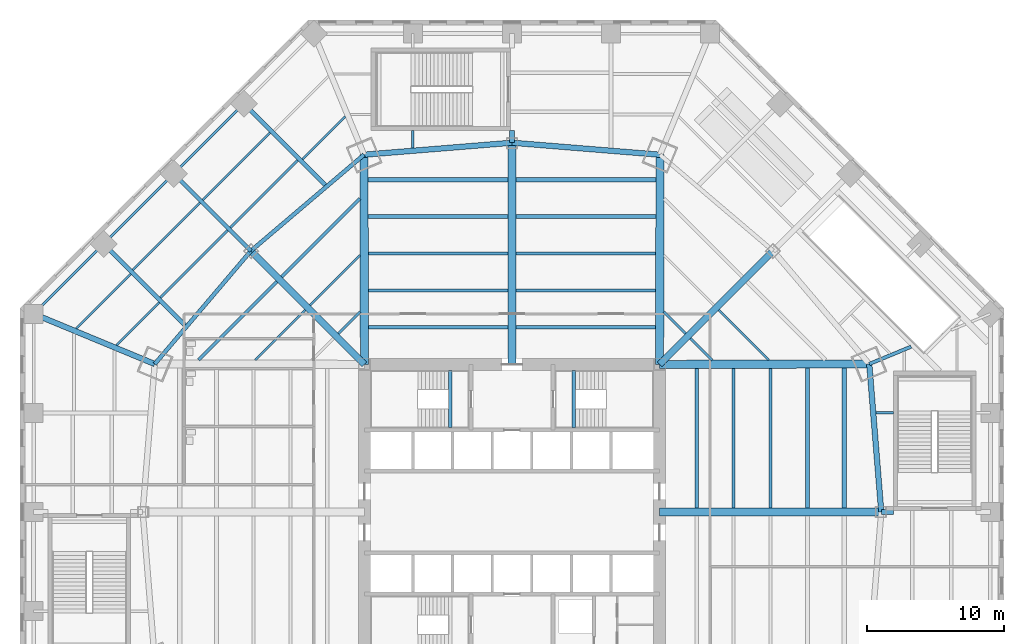
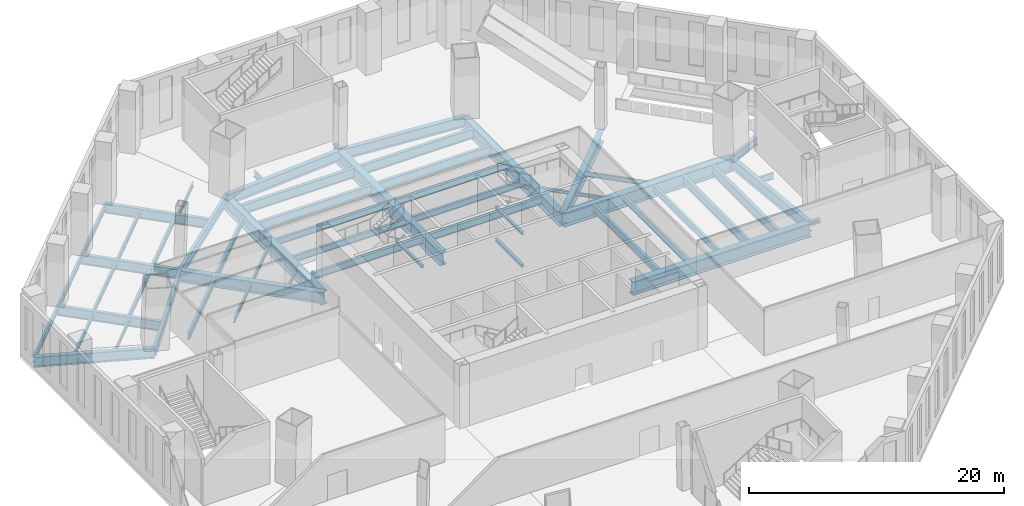
# One storey, part 4 of 20: 55 beams, 2 members.
"""IFC4 building model written with IfcOpenShell, lengths in metres."""

from ifc_helpers import new_model, si_unit, direction, frame, origin, origin_2d, place, context, subcontext, project, spatial, i_section, extrude, source, transform, mapped, material, material_profile, profile_set, type_object, type_shapes, element, save


model = new_model("IFC4")

# Units and contexts
model_context = context("Model", 3, precision=1e-05, world=origin(), true_north=direction((0.0, 1.0)))
body_context = subcontext(model_context, "Body", "Model", "MODEL_VIEW")
ifc_project = project(units=[si_unit("LENGTHUNIT", "METRE"), si_unit("AREAUNIT", "SQUARE_METRE"), si_unit("VOLUMEUNIT", "CUBIC_METRE"), si_unit("PLANEANGLEUNIT", "RADIAN"), si_unit("MASSUNIT", "GRAM", prefix="KILO")], contexts=[model_context])

# Site, building, storey
site_placement = place(None, origin())
site = spatial("IfcSite", under=ifc_project, at=site_placement, CompositionType="ELEMENT")
building_placement = place(site_placement, origin())
building = spatial("IfcBuilding", under=site, at=building_placement, Name="Mashrafa Tower", CompositionType="ELEMENT")
storey_placement = place(building_placement, frame((0.0, 0.0, 7.199951171875)))
storey = spatial("IfcBuildingStorey", under=building, at=storey_placement, Name="L01", CompositionType="ELEMENT", Elevation=7.199951171875)

# Beams
ifc_material_1 = material(Name="Steel ASTM A572 Gr 50", Category="steel")
ifc_material_profile_1 = material_profile(ifc_material_1, i_section(OverallWidth=0.5, OverallDepth=1.10009765625, WebThickness=0.02490234375, FlangeThickness=0.050048828125, at=origin_2d()), Name="H1100X500X25X50")
ifc_profile_set_1 = profile_set([ifc_material_profile_1], Name="Steel ASTM A572 Gr 50")
beam_type_1 = type_object("IfcBeamType", Name="Beam H1100X500X25X50", PredefinedType="BEAM", material=ifc_profile_set_1)
for number, where, z_axis, x_axis, name in (
    (1, (-10.800048828125, 10.800048828125, -0.849853515625), (-0.707106781187, 0.707106781187, 0.0), (-0.707106781187, -0.707106781187, 0.0), "Radial girder L01 214"),
    (2, (10.800048828125, 10.800048828125, -0.849853515625), (0.707106781187, 0.707106781187, 0.0), (-0.707106781187, 0.707106781187, 0.0), "Radial girder L01 223"),
):
    element("IfcBeam", number, at=place(storey_placement, frame(where, z_axis=z_axis, x_axis=x_axis)), inside=storey, type_object=beam_type_1, Name=name, PredefinedType="BEAM", context=body_context, shape_type="SweptSolid", body=[
        extrude(i_section(OverallWidth=0.5, OverallDepth=1.10009765625, WebThickness=0.02490234375, FlangeThickness=0.050048828125, at=origin_2d()), origin(), (0.0, 0.0, 1.0), 11.74609375),
    ])
ifc_material_2 = material(Name="Steel ASTM A572 Gr 50", Category="steel")
ifc_material_profile_2 = material_profile(ifc_material_2, i_section(OverallWidth=0.60009765625, OverallDepth=1.300048828125, WebThickness=0.028076171875, FlangeThickness=0.06494140625, at=origin_2d()), Name="H1300X600X28X65")
ifc_profile_set_2 = profile_set([ifc_material_profile_2], Name="Steel ASTM A572 Gr 50")
beam_type_2 = type_object("IfcBeamType", Name="Beam H1300X600X28X65", PredefinedType="BEAM", material=ifc_profile_set_2)
beam_1_placement = place(storey_placement, frame((-10.800048828125, 10.800048828125, -0.949951171875), z_axis=(-0.001830099739, 0.999998325366, 0.0), x_axis=(-0.999998325366, -0.001830099739, 0.0)))
element("IfcBeam", 3, at=beam_1_placement, inside=storey, type_object=beam_type_2, Name="Radial girder L01 215", PredefinedType="BEAM", context=body_context, shape_type="SweptSolid", body=[
    extrude(i_section(OverallWidth=0.60009765625, OverallDepth=1.300048828125, WebThickness=0.028076171875, FlangeThickness=0.06494140625, at=origin_2d()), origin(), (0.0, 0.0, 1.0), 15.34130859375),
])
for number, where, z_axis, x_axis, name in (
    (4, (0.0, 10.800048828125, -0.949951171875), (0.0, 1.0, 0.0), (-1.0, 0.0, 0.0), "Radial girder L01 217"),
    (5, (10.800048828125, 0.0, -0.949951171875), (1.0, 0.0, 0.0), (0.0, 1.0, 0.0), "Radial girder L01 221"),
):
    element("IfcBeam", number, at=place(storey_placement, frame(where, z_axis=z_axis, x_axis=x_axis)), inside=storey, type_object=beam_type_2, Name=name, PredefinedType="BEAM", context=body_context, shape_type="SweptSolid", body=[
        extrude(i_section(OverallWidth=0.60009765625, OverallDepth=1.300048828125, WebThickness=0.028076171875, FlangeThickness=0.06494140625, at=origin_2d()), origin(), (0.0, 0.0, 1.0), 16.219482421875),
    ])
for number, where, z_axis, x_axis, name in (
    (6, (10.800048828125, 10.800048828125, -0.949951171875), (0.001830099739, 0.999998325366, 0.0), (-0.999998325366, 0.001830099739, 0.0), "Radial girder L01 222"),
    (7, (10.800048828125, 10.800048828125, -0.949951171875), (0.999998325366, 0.001830099739, 0.0), (-0.001830099739, 0.999998325366, 0.0), "Radial girder L01 224"),
):
    element("IfcBeam", number, at=place(storey_placement, frame(where, z_axis=z_axis, x_axis=x_axis)), inside=storey, type_object=beam_type_2, Name=name, PredefinedType="BEAM", context=body_context, shape_type="SweptSolid", body=[
        extrude(i_section(OverallWidth=0.60009765625, OverallDepth=1.300048828125, WebThickness=0.028076171875, FlangeThickness=0.06494140625, at=origin_2d()), origin(), (0.0, 0.0, 1.0), 15.34130859375),
    ])
ifc_material_3 = material(Name="Steel ASTM A992", Category="steel")
ifc_material_profile_3 = material_profile(ifc_material_3, i_section(OverallWidth=0.164794921875, OverallDepth=0.309814453125, WebThickness=0.005859375, FlangeThickness=0.009765625, FilletRadius=0.007568359375, at=origin_2d()), Name="W12X26")
ifc_profile_set_3 = profile_set([ifc_material_profile_3], Name="Steel ASTM A992")
beam_type_3 = type_object("IfcBeamType", Name="Beam W12X26", PredefinedType="BEAM", material=ifc_profile_set_3)
for number, where, z_axis, x_axis, name in (
    (8, (-12.69970703125, 13.05322265625, -0.454833984375), (0.707106781187, 0.707106781187, 0.0), (-0.707106781187, 0.707106781187, 0.0), "Floor beam L01 041"),
    (9, (11.107177734375, 14.645751953125, -0.454833984375), (0.707106781187, -0.707106781187, 0.0), (0.707106781187, 0.707106781187, 0.0), "Floor beam L01 071"),
    (10, (13.05322265625, 12.69970703125, -0.454833984375), (0.707106781187, -0.707106781187, 0.0), (0.707106781187, 0.707106781187, 0.0), "Floor beam L01 081"),
):
    element("IfcBeam", number, at=place(storey_placement, frame(where, z_axis=z_axis, x_axis=x_axis)), inside=storey, type_object=beam_type_3, Name=name, PredefinedType="BEAM", context=body_context, shape_type="SweptSolid", body=[
        extrude(i_section(OverallWidth=0.164794921875, OverallDepth=0.309814453125, WebThickness=0.005859375, FlangeThickness=0.009765625, FilletRadius=0.007568359375, at=origin_2d()), origin(), (0.0, 0.0, 1.0), 2.252197265625),
    ])
ifc_material_4 = material(Name="Steel ASTM A992", Category="steel")
ifc_material_profile_4 = material_profile(ifc_material_4, i_section(OverallWidth=0.140380859375, OverallDepth=0.40380859375, WebThickness=0.007080078125, FlangeThickness=0.01123046875, FilletRadius=0.01025390625, at=origin_2d()), Name="W16X31")
ifc_profile_set_4 = profile_set([ifc_material_profile_4], Name="Steel ASTM A992")
beam_type_4 = type_object("IfcBeamType", Name="Beam W16X31", PredefinedType="BEAM", material=ifc_profile_set_4)
for number, where, z_axis, x_axis, name in (
    (11, (-28.940673828125, 12.204833984375, -0.501953125), (0.707106781187, 0.707106781187, 0.0), (-0.707106781187, 0.707106781187, 0.0), "Floor beam L01 008"),
    (12, (-15.33837890625, 25.80712890625, -0.501953125), (0.707106781187, 0.707106781187, 0.0), (-0.707106781187, 0.707106781187, 0.0), "Floor beam L01 032"),
):
    element("IfcBeam", number, at=place(storey_placement, frame(where, z_axis=z_axis, x_axis=x_axis)), inside=storey, type_object=beam_type_4, Name=name, PredefinedType="BEAM", context=body_context, shape_type="SweptSolid", body=[
        extrude(i_section(OverallWidth=0.140380859375, OverallDepth=0.40380859375, WebThickness=0.007080078125, FlangeThickness=0.01123046875, FilletRadius=0.01025390625, at=origin_2d()), origin(), (0.0, 0.0, 1.0), 4.431396484375),
    ])
ifc_material_5 = material(Name="Steel ASTM A992", Category="steel")
ifc_material_profile_5 = material_profile(ifc_material_5, i_section(OverallWidth=0.15234375, OverallDepth=0.449462890625, WebThickness=0.007568359375, FlangeThickness=0.0107421875, FilletRadius=0.01025390625, at=origin_2d()), Name="W18X35")
ifc_profile_set_5 = profile_set([ifc_material_profile_5], Name="Steel ASTM A992")
beam_type_5 = type_object("IfcBeamType", Name="Beam W18X35", PredefinedType="BEAM", material=ifc_profile_set_5)
beam_2_placement = place(storey_placement, frame((-31.8935546875, 13.427978515625, -0.524658203125), z_axis=(0.707106781187, 0.707106781187, 0.0), x_axis=(-0.707106781187, 0.707106781187, 0.0)))
element("IfcBeam", 13, at=beam_2_placement, inside=storey, type_object=beam_type_5, Name="Floor beam L01 004", PredefinedType="BEAM", context=body_context, shape_type="SweptSolid", body=[
    extrude(i_section(OverallWidth=0.15234375, OverallDepth=0.449462890625, WebThickness=0.007568359375, FlangeThickness=0.0107421875, FilletRadius=0.01025390625, at=origin_2d()), origin(), (0.0, 0.0, 1.0), 5.65478515625),
])
for number, where, z_axis, x_axis, name in (
    (14, (-18.791015625, 11.11474609375, -0.524658203125), (0.707106781187, 0.707106781187, 0.0), (-0.707106781187, 0.707106781187, 0.0), "Floor beam L01 022"),
    (15, (-14.776123046875, 15.129638671875, -0.524658203125), (0.707106781187, 0.707106781187, 0.0), (-0.707106781187, 0.707106781187, 0.0), "Floor beam L01 034"),
    (16, (15.129638671875, 14.776123046875, -0.524658203125), (0.707106781187, -0.707106781187, 0.0), (0.707106781187, 0.707106781187, 0.0), "Floor beam L01 088"),
):
    element("IfcBeam", number, at=place(storey_placement, frame(where, z_axis=z_axis, x_axis=x_axis)), inside=storey, type_object=beam_type_5, Name=name, PredefinedType="BEAM", context=body_context, shape_type="SweptSolid", body=[
        extrude(i_section(OverallWidth=0.15234375, OverallDepth=0.449462890625, WebThickness=0.007568359375, FlangeThickness=0.0107421875, FilletRadius=0.01025390625, at=origin_2d()), origin(), (0.0, 0.0, 1.0), 5.177978515625),
    ])
ifc_material_6 = material(Name="Steel ASTM A992", Category="steel")
ifc_material_profile_6 = material_profile(ifc_material_6, i_section(OverallWidth=0.1650390625, OverallDepth=0.52587890625, WebThickness=0.0087890625, FlangeThickness=0.011474609375, FilletRadius=0.0126953125, at=origin_2d()), Name="W21X44")
ifc_profile_set_6 = profile_set([ifc_material_profile_6], Name="Steel ASTM A992")
beam_type_6 = type_object("IfcBeamType", Name="Beam W21X44", PredefinedType="BEAM", material=ifc_profile_set_6)
for number, where, z_axis, x_axis, name in (
    (17, (-27.74609375, 17.712158203125, -0.562744140625), (0.707089195184, 0.707124366752, 0.0), (-0.707124366752, 0.707089195184, 0.0), "Floor beam L01 009"),
    (18, (-22.62060546875, 22.837890625, -0.562744140625), (0.707124366752, 0.707089195184, 0.0), (-0.707089195184, 0.707124366752, 0.0), "Floor beam L01 017"),
):
    element("IfcBeam", number, at=place(storey_placement, frame(where, z_axis=z_axis, x_axis=x_axis)), inside=storey, type_object=beam_type_6, Name=name, PredefinedType="BEAM", context=body_context, shape_type="SweptSolid", body=[
        extrude(i_section(OverallWidth=0.1650390625, OverallDepth=0.52587890625, WebThickness=0.0087890625, FlangeThickness=0.011474609375, FilletRadius=0.0126953125, at=origin_2d()), origin(), (0.0, 0.0, 1.0), 6.94140625),
    ])
ifc_material_7 = material(Name="Steel ASTM A992", Category="steel")
ifc_material_profile_7 = material_profile(ifc_material_7, i_section(OverallWidth=0.177978515625, OverallDepth=0.599365234375, WebThickness=0.010009765625, FlangeThickness=0.012939453125, FilletRadius=0.012939453125, at=origin_2d()), Name="W24X55")
ifc_profile_set_7 = profile_set([ifc_material_profile_7], Name="Steel ASTM A992")
beam_type_7 = type_object("IfcBeamType", Name="Beam W24X55", PredefinedType="BEAM", material=ifc_profile_set_7)
for number, where, z_axis, x_axis, name in (
    (19, (-25.7265625, 15.692626953125, -0.599609375), (0.707106781187, 0.707106781187, 0.0), (-0.707106781187, 0.707106781187, 0.0), "Floor beam L01 011"),
    (20, (-20.600830078125, 20.818359375, -0.599609375), (0.707106781187, 0.707106781187, 0.0), (-0.707106781187, 0.707106781187, 0.0), "Floor beam L01 021"),
):
    element("IfcBeam", number, at=place(storey_placement, frame(where, z_axis=z_axis, x_axis=x_axis)), inside=storey, type_object=beam_type_7, Name=name, PredefinedType="BEAM", context=body_context, shape_type="SweptSolid", body=[
        extrude(i_section(OverallWidth=0.177978515625, OverallDepth=0.599365234375, WebThickness=0.010009765625, FlangeThickness=0.012939453125, FilletRadius=0.012939453125, at=origin_2d()), origin(), (0.0, 0.0, 1.0), 6.941162109375),
    ])
beam_3_placement = place(storey_placement, frame((-29.87451171875, 19.623046875, -0.599609375), z_axis=(-0.707106781187, -0.707106781187, 0.0), x_axis=(0.707106781187, -0.707106781187, 0.0)))
element("IfcBeam", 21, at=beam_3_placement, inside=storey, type_object=beam_type_7, Name="Podium edge beam L01 125", PredefinedType="BEAM", context=body_context, shape_type="SweptSolid", body=[
    extrude(i_section(OverallWidth=0.177978515625, OverallDepth=0.599365234375, WebThickness=0.010009765625, FlangeThickness=0.012939453125, FilletRadius=0.012939453125, at=origin_2d()), origin(), (0.0, 0.0, 1.0), 7.24853515625),
])
for number, where, z_axis, x_axis, name in (
    (22, (-24.748779296875, 24.748779296875, -0.599609375), (-0.707106781187, -0.707106781187, 0.0), (0.707106781187, -0.707106781187, 0.0), "Podium edge beam L01 127"),
    (23, (-19.623046875, 29.87451171875, -0.599609375), (-0.707106781187, -0.707106781187, 0.0), (0.707106781187, -0.707106781187, 0.0), "Podium edge beam L01 129"),
):
    element("IfcBeam", number, at=place(storey_placement, frame(where, z_axis=z_axis, x_axis=x_axis)), inside=storey, type_object=beam_type_7, Name=name, PredefinedType="BEAM", context=body_context, shape_type="SweptSolid", body=[
        extrude(i_section(OverallWidth=0.177978515625, OverallDepth=0.599365234375, WebThickness=0.010009765625, FlangeThickness=0.012939453125, FilletRadius=0.012939453125, at=origin_2d()), origin(), (0.0, 0.0, 1.0), 7.248779296875),
    ])
for number, where, z_axis, x_axis, name in (
    (24, (-7.248779296875, 26.6328125, -0.599609375), (0.0, 1.0, 0.0), (-1.0, 0.0, 0.0), "Podium radial beam L01 167"),
    (25, (26.6328125, 7.248779296875, -0.599609375), (1.0, 0.0, 0.0), (0.0, 1.0, 0.0), "Podium radial beam L01 187"),
):
    element("IfcBeam", number, at=place(storey_placement, frame(where, z_axis=z_axis, x_axis=x_axis)), inside=storey, type_object=beam_type_7, Name=name, PredefinedType="BEAM", context=body_context, shape_type="SweptSolid", body=[
        extrude(i_section(OverallWidth=0.177978515625, OverallDepth=0.599365234375, WebThickness=0.010009765625, FlangeThickness=0.012939453125, FilletRadius=0.012939453125, at=origin_2d()), origin(), (0.0, 0.0, 1.0), 1.26708984375),
    ])
ifc_material_8 = material(Name="Steel ASTM A992", Category="steel")
ifc_material_profile_8 = material_profile(ifc_material_8, i_section(OverallWidth=0.227783203125, OverallDepth=0.60205078125, WebThickness=0.010498046875, FlangeThickness=0.014892578125, FilletRadius=0.012939453125, at=origin_2d()), Name="W24X68")
ifc_profile_set_8 = profile_set([ifc_material_profile_8], Name="Steel ASTM A992")
beam_type_8 = type_object("IfcBeamType", Name="Beam W24X68", PredefinedType="BEAM", material=ifc_profile_set_8)
for number, where, z_axis, x_axis, name in (
    (26, (-22.936279296875, 11.122314453125, -0.600830078125), (0.707106781187, 0.707106781187, 0.0), (-0.707106781187, 0.707106781187, 0.0), "Floor beam L01 015"),
    (27, (-16.8525390625, 17.2060546875, -0.600830078125), (0.707106781187, 0.707106781187, 0.0), (-0.707106781187, 0.707106781187, 0.0), "Floor beam L01 028"),
):
    element("IfcBeam", number, at=place(storey_placement, frame(where, z_axis=z_axis, x_axis=x_axis)), inside=storey, type_object=beam_type_8, Name=name, PredefinedType="BEAM", context=body_context, shape_type="SweptSolid", body=[
        extrude(i_section(OverallWidth=0.227783203125, OverallDepth=0.60205078125, WebThickness=0.010498046875, FlangeThickness=0.014892578125, FilletRadius=0.012939453125, at=origin_2d()), origin(), (0.0, 0.0, 1.0), 8.103759765625),
    ])
ifc_material_9 = material(Name="Steel ASTM A992", Category="steel")
ifc_material_profile_9 = material_profile(ifc_material_9, i_section(OverallWidth=0.228271484375, OverallDepth=0.607177734375, WebThickness=0.01123046875, FlangeThickness=0.017333984375, FilletRadius=0.0126953125, at=origin_2d()), Name="W24X76")
ifc_profile_set_9 = profile_set([ifc_material_profile_9], Name="Steel ASTM A992")
beam_type_9 = type_object("IfcBeamType", Name="Beam W24X76", PredefinedType="BEAM", material=ifc_profile_set_9)
beam_4_placement = place(storey_placement, frame((-10.514892578125, 18.909912109375, -0.603515625), z_axis=(1.0, 0.0, 0.0), x_axis=(0.0, 1.0, 0.0)))
element("IfcBeam", 28, at=beam_4_placement, inside=storey, type_object=beam_type_9, Name="Floor beam L01 048", PredefinedType="BEAM", context=body_context, shape_type="SweptSolid", body=[
    extrude(i_section(OverallWidth=0.228271484375, OverallDepth=0.607177734375, WebThickness=0.01123046875, FlangeThickness=0.017333984375, FilletRadius=0.0126953125, at=origin_2d()), origin(), (0.0, 0.0, 1.0), 10.21484375),
])
for number, where, z_axis, x_axis, name in (
    (29, (-10.510009765625, 16.20654296875, -0.603515625), (1.0, 0.0, 0.0), (0.0, 1.0, 0.0), "Floor beam L01 049"),
    (30, (0.300048828125, 16.20654296875, -0.603515625), (1.0, 0.0, 0.0), (0.0, 1.0, 0.0), "Floor beam L01 062"),
):
    element("IfcBeam", number, at=place(storey_placement, frame(where, z_axis=z_axis, x_axis=x_axis)), inside=storey, type_object=beam_type_9, Name=name, PredefinedType="BEAM", context=body_context, shape_type="SweptSolid", body=[
        extrude(i_section(OverallWidth=0.228271484375, OverallDepth=0.607177734375, WebThickness=0.01123046875, FlangeThickness=0.017333984375, FilletRadius=0.0126953125, at=origin_2d()), origin(), (0.0, 0.0, 1.0), 10.2099609375),
    ])
beam_5_placement = place(storey_placement, frame((0.300048828125, 18.909912109375, -0.603515625), z_axis=(1.0, 0.0, 0.0), x_axis=(0.0, 1.0, 0.0)))
element("IfcBeam", 31, at=beam_5_placement, inside=storey, type_object=beam_type_9, Name="Floor beam L01 063", PredefinedType="BEAM", context=body_context, shape_type="SweptSolid", body=[
    extrude(i_section(OverallWidth=0.228271484375, OverallDepth=0.607177734375, WebThickness=0.01123046875, FlangeThickness=0.017333984375, FilletRadius=0.0126953125, at=origin_2d()), origin(), (0.0, 0.0, 1.0), 10.21484375),
])
beam_6_placement = place(storey_placement, frame((16.20654296875, 10.510009765625, -0.603515625), z_axis=(0.0, -1.0, 0.0), x_axis=(1.0, 0.0, 0.0)))
element("IfcBeam", 32, at=beam_6_placement, inside=storey, type_object=beam_type_9, Name="Floor beam L01 092", PredefinedType="BEAM", context=body_context, shape_type="SweptSolid", body=[
    extrude(i_section(OverallWidth=0.228271484375, OverallDepth=0.607177734375, WebThickness=0.01123046875, FlangeThickness=0.017333984375, FilletRadius=0.0126953125, at=origin_2d()), origin(), (0.0, 0.0, 1.0), 10.2099609375),
])
beam_7_placement = place(storey_placement, frame((18.909912109375, 10.514892578125, -0.603515625), z_axis=(0.0, -1.0, 0.0), x_axis=(1.0, 0.0, 0.0)))
element("IfcBeam", 33, at=beam_7_placement, inside=storey, type_object=beam_type_9, Name="Floor beam L01 098", PredefinedType="BEAM", context=body_context, shape_type="SweptSolid", body=[
    extrude(i_section(OverallWidth=0.228271484375, OverallDepth=0.607177734375, WebThickness=0.01123046875, FlangeThickness=0.017333984375, FilletRadius=0.0126953125, at=origin_2d()), origin(), (0.0, 0.0, 1.0), 10.21484375),
])
ifc_material_10 = material(Name="Steel ASTM A992", Category="steel")
ifc_material_profile_10 = material_profile(ifc_material_10, i_section(OverallWidth=0.25390625, OverallDepth=0.67822265625, WebThickness=0.01171875, FlangeThickness=0.016357421875, FilletRadius=0.01513671875, at=origin_2d()), Name="W27X84")
ifc_profile_set_10 = profile_set([ifc_material_profile_10], Name="Steel ASTM A992")
beam_type_10 = type_object("IfcBeamType", Name="Beam W27X84", PredefinedType="BEAM", material=ifc_profile_set_10)
for number, where, z_axis, x_axis, name in (
    (34, (-10.5048828125, 13.50341796875, -0.63916015625), (1.0, 0.0, 0.0), (0.0, 1.0, 0.0), "Floor beam L01 051"),
    (35, (0.300048828125, 13.50341796875, -0.63916015625), (1.0, 0.0, 0.0), (0.0, 1.0, 0.0), "Floor beam L01 061"),
    (36, (13.50341796875, 10.5048828125, -0.63916015625), (0.0, -1.0, 0.0), (1.0, 0.0, 0.0), "Floor beam L01 085"),
):
    element("IfcBeam", number, at=place(storey_placement, frame(where, z_axis=z_axis, x_axis=x_axis)), inside=storey, type_object=beam_type_10, Name=name, PredefinedType="BEAM", context=body_context, shape_type="SweptSolid", body=[
        extrude(i_section(OverallWidth=0.25390625, OverallDepth=0.67822265625, WebThickness=0.01171875, FlangeThickness=0.016357421875, FilletRadius=0.01513671875, at=origin_2d()), origin(), (0.0, 0.0, 1.0), 10.204833984375),
    ])
ifc_material_11 = material(Name="Steel ASTM A992", Category="steel")
ifc_material_profile_11 = material_profile(ifc_material_11, i_section(OverallWidth=0.25390625, OverallDepth=0.683349609375, WebThickness=0.012451171875, FlangeThickness=0.01904296875, FilletRadius=0.01513671875, at=origin_2d()), Name="W27X94")
ifc_profile_set_11 = profile_set([ifc_material_profile_11], Name="Steel ASTM A992")
beam_type_11 = type_object("IfcBeamType", Name="Beam W27X94", PredefinedType="BEAM", material=ifc_profile_set_11)
beam_8_placement = place(storey_placement, frame((26.141357421875, 10.828125, -0.6416015625), z_axis=(0.923880181064, 0.382681866616, 0.0), x_axis=(-0.382681866616, 0.923880181064, 0.0)))
element("IfcBeam", 37, at=beam_8_placement, inside=storey, type_object=beam_type_11, Name="Podium radial beam L01 185", PredefinedType="BEAM", context=body_context, shape_type="SweptSolid", body=[
    extrude(i_section(OverallWidth=0.25390625, OverallDepth=0.683349609375, WebThickness=0.012451171875, FlangeThickness=0.01904296875, FilletRadius=0.01513671875, at=origin_2d()), origin(), (0.0, 0.0, 1.0), 3.309814453125),
])
ifc_material_12 = material(Name="Steel ASTM A992", Category="steel")
ifc_material_profile_12 = material_profile(ifc_material_12, i_section(OverallWidth=0.2919921875, OverallDepth=0.8408203125, WebThickness=0.0146484375, FlangeThickness=0.021728515625, FilletRadius=0.017333984375, at=origin_2d()), Name="W33X130")
ifc_profile_set_12 = profile_set([ifc_material_profile_12], Name="Steel ASTM A992")
beam_type_12 = type_object("IfcBeamType", Name="Beam W33X130", PredefinedType="BEAM", material=ifc_profile_set_12)
for number, where, z_axis, x_axis, name in (
    (38, (-19.105712890625, 19.105712890625, -0.72021484375), (-0.647632111398, -0.761953179851, 0.0), (0.761953179851, -0.647632111398, 0.0), "Podium ring girder L01 197"),
    (39, (-10.828125, 26.141357421875, -0.72021484375), (-0.761953179851, -0.647632111398, 0.0), (0.647632111398, -0.761953179851, 0.0), "Podium ring girder L01 199"),
):
    element("IfcBeam", number, at=place(storey_placement, frame(where, z_axis=z_axis, x_axis=x_axis)), inside=storey, type_object=beam_type_12, Name=name, PredefinedType="BEAM", context=body_context, shape_type="SweptSolid", body=[
        extrude(i_section(OverallWidth=0.2919921875, OverallDepth=0.8408203125, WebThickness=0.0146484375, FlangeThickness=0.021728515625, FilletRadius=0.017333984375, at=origin_2d()), origin(), (0.0, 0.0, 1.0), 10.863525390625),
    ])
ifc_material_13 = material(Name="Steel ASTM A992", Category="steel")
ifc_material_profile_13 = material_profile(ifc_material_13, i_section(OverallWidth=0.2919921875, OverallDepth=0.845703125, WebThickness=0.015380859375, FlangeThickness=0.0244140625, FilletRadius=0.017333984375, at=origin_2d()), Name="W33X141")
ifc_profile_set_13 = profile_set([ifc_material_profile_13], Name="Steel ASTM A992")
beam_type_13 = type_object("IfcBeamType", Name="Beam W33X141", PredefinedType="BEAM", material=ifc_profile_set_13)
for number, where, z_axis, x_axis, name in (
    (40, (-10.519775390625, 21.613037109375, -0.722900390625), (1.0, 0.0, 0.0), (0.0, 1.0, 0.0), "Floor beam L01 046"),
    (41, (0.300048828125, 21.613037109375, -0.722900390625), (1.0, 0.0, 0.0), (0.0, 1.0, 0.0), "Floor beam L01 064"),
    (42, (21.613037109375, 10.519775390625, -0.722900390625), (0.0, -1.0, 0.0), (1.0, 0.0, 0.0), "Floor beam L01 102"),
):
    element("IfcBeam", number, at=place(storey_placement, frame(where, z_axis=z_axis, x_axis=x_axis)), inside=storey, type_object=beam_type_13, Name=name, PredefinedType="BEAM", context=body_context, shape_type="SweptSolid", body=[
        extrude(i_section(OverallWidth=0.2919921875, OverallDepth=0.845703125, WebThickness=0.015380859375, FlangeThickness=0.0244140625, FilletRadius=0.017333984375, at=origin_2d()), origin(), (0.0, 0.0, 1.0), 10.2197265625),
    ])
ifc_material_14 = material(Name="Steel ASTM A992", Category="steel")
ifc_material_profile_14 = material_profile(ifc_material_14, i_section(OverallWidth=0.307373046875, OverallDepth=0.927001953125, WebThickness=0.01953125, FlangeThickness=0.031982421875, FilletRadius=0.01904296875, at=origin_2d()), Name="W36X194")
ifc_profile_set_14 = profile_set([ifc_material_profile_14], Name="Steel ASTM A992")
beam_type_14 = type_object("IfcBeamType", Name="Beam W36X194", PredefinedType="BEAM", material=ifc_profile_set_14)
for number, where, z_axis, x_axis, name in (
    (43, (-10.52490234375, 24.31640625, -0.763427734375), (1.0, 0.0, 0.0), (0.0, 1.0, 0.0), "Floor beam L01 044"),
    (44, (0.300048828125, 24.31640625, -0.763427734375), (1.0, 0.0, 0.0), (0.0, 1.0, 0.0), "Floor beam L01 065"),
    (45, (24.31640625, 10.52490234375, -0.763427734375), (0.0, -1.0, 0.0), (1.0, 0.0, 0.0), "Floor beam L01 106"),
):
    element("IfcBeam", number, at=place(storey_placement, frame(where, z_axis=z_axis, x_axis=x_axis)), inside=storey, type_object=beam_type_14, Name=name, PredefinedType="BEAM", context=body_context, shape_type="SweptSolid", body=[
        extrude(i_section(OverallWidth=0.307373046875, OverallDepth=0.927001953125, WebThickness=0.01953125, FlangeThickness=0.031982421875, FilletRadius=0.01904296875, at=origin_2d()), origin(), (0.0, 0.0, 1.0), 10.224853515625),
    ])
beam_9_placement = place(storey_placement, frame((-23.919189453125, 13.66796875, -0.763427734375), z_axis=(-0.707121275386, 0.70709228669, 0.0), x_axis=(-0.70709228669, -0.707121275386, 0.0)))
element("IfcBeam", 46, at=beam_9_placement, inside=storey, type_object=beam_type_14, Name="Podium radial beam L01 159", PredefinedType="BEAM", context=body_context, shape_type="SweptSolid", body=[
    extrude(i_section(OverallWidth=0.307373046875, OverallDepth=0.927001953125, WebThickness=0.01953125, FlangeThickness=0.031982421875, FilletRadius=0.01904296875, at=origin_2d()), origin(), (0.0, 0.0, 1.0), 8.421875),
])
beam_10_placement = place(storey_placement, frame((-19.105712890625, 19.105712890625, -0.763427734375), z_axis=(-0.707106781187, 0.707106781187, 0.0), x_axis=(-0.707106781187, -0.707106781187, 0.0)))
element("IfcBeam", 47, at=beam_10_placement, inside=storey, type_object=beam_type_14, Name="Podium radial beam L01 161", PredefinedType="BEAM", context=body_context, shape_type="SweptSolid", body=[
    extrude(i_section(OverallWidth=0.307373046875, OverallDepth=0.927001953125, WebThickness=0.01953125, FlangeThickness=0.031982421875, FilletRadius=0.01904296875, at=origin_2d()), origin(), (0.0, 0.0, 1.0), 7.98046875),
])
beam_11_placement = place(storey_placement, frame((-13.66796875, 23.919189453125, -0.763427734375), z_axis=(-0.70709228669, 0.707121275386, 0.0), x_axis=(-0.707121275386, -0.70709228669, 0.0)))
element("IfcBeam", 48, at=beam_11_placement, inside=storey, type_object=beam_type_14, Name="Podium radial beam L01 163", PredefinedType="BEAM", context=body_context, shape_type="SweptSolid", body=[
    extrude(i_section(OverallWidth=0.307373046875, OverallDepth=0.927001953125, WebThickness=0.01953125, FlangeThickness=0.031982421875, FilletRadius=0.01904296875, at=origin_2d()), origin(), (0.0, 0.0, 1.0), 8.421875),
])
ifc_material_15 = material(Name="Steel ASTM A992", Category="steel")
ifc_material_profile_15 = material_profile(ifc_material_15, i_section(OverallWidth=0.4013671875, OverallDepth=0.98291015625, WebThickness=0.0166015625, FlangeThickness=0.027099609375, FilletRadius=0.0126953125, at=origin_2d()), Name="W40X199")
ifc_profile_set_15 = profile_set([ifc_material_profile_15], Name="Steel ASTM A992")
beam_type_15 = type_object("IfcBeamType", Name="Beam W40X199", PredefinedType="BEAM", material=ifc_profile_set_15)
beam_12_placement = place(storey_placement, frame((-26.141357421875, 10.828125, -0.79150390625), z_axis=(-0.923877183952, 0.38268910224, 0.0), x_axis=(-0.38268910224, -0.923877183952, 0.0)))
element("IfcBeam", 49, at=beam_12_placement, inside=storey, type_object=beam_type_15, Name="Podium radial beam L01 157", PredefinedType="BEAM", context=body_context, shape_type="SweptSolid", body=[
    extrude(i_section(OverallWidth=0.4013671875, OverallDepth=0.98291015625, WebThickness=0.0166015625, FlangeThickness=0.027099609375, FilletRadius=0.0126953125, at=origin_2d()), origin(), (0.0, 0.0, 1.0), 9.588623046875),
])
ifc_material_16 = material(Name="Steel ASTM A992", Category="steel")
ifc_material_profile_16 = material_profile(ifc_material_16, i_section(OverallWidth=0.4013671875, OverallDepth=1.010986328125, WebThickness=0.023681640625, FlangeThickness=0.0419921875, FilletRadius=0.02001953125, at=origin_2d()), Name="W40X297")
ifc_profile_set_16 = profile_set([ifc_material_profile_16], Name="Steel ASTM A992")
beam_type_16 = type_object("IfcBeamType", Name="Beam W40X297", PredefinedType="BEAM", material=ifc_profile_set_16)
for number, where, z_axis, x_axis, name in (
    (50, (0.0, 27.01953125, -0.805419921875), (-0.996727433374, -0.080835781427, 0.0), (0.080835781427, -0.996727433374, 0.0), "Podium ring girder L01 201"),
    (51, (10.828125, 26.141357421875, -0.805419921875), (-0.996727433374, 0.080835781427, 0.0), (-0.080835781427, -0.996727433374, 0.0), "Podium ring girder L01 203"),
    (52, (27.01953125, 0.0, -0.805419921875), (-0.080835781427, 0.996727433374, 0.0), (-0.996727433374, -0.080835781427, 0.0), "Podium ring girder L01 208"),
):
    element("IfcBeam", number, at=place(storey_placement, frame(where, z_axis=z_axis, x_axis=x_axis)), inside=storey, type_object=beam_type_16, Name=name, PredefinedType="BEAM", context=body_context, shape_type="SweptSolid", body=[
        extrude(i_section(OverallWidth=0.4013671875, OverallDepth=1.010986328125, WebThickness=0.023681640625, FlangeThickness=0.0419921875, FilletRadius=0.02001953125, at=origin_2d()), origin(), (0.0, 0.0, 1.0), 10.86376953125),
    ])
ifc_material_17 = material(Name="Steel ASTM A992", Category="steel")
ifc_material_profile_17 = material_profile(ifc_material_17, i_section(OverallWidth=0.25390625, OverallDepth=0.25390625, WebThickness=0.008544921875, FlangeThickness=0.01416015625, FilletRadius=0.010009765625, at=origin_2d()), Name="W10X49")
ifc_profile_set_17 = profile_set([ifc_material_profile_17], Name="Steel ASTM A992")
beam_type_17 = type_object("IfcBeamType", Name="Hoistway beam W10X49", PredefinedType="BEAM", material=ifc_profile_set_17)
for number, where, z_axis, x_axis, name in (
    (53, (-4.530029296875, 6.14990234375, 2.673095703125), (0.0, 1.0, 0.0), (-1.0, 0.0, 0.0), "Stair S1 landing beam L01"),
    (54, (4.530029296875, 6.14990234375, -0.427001953125), (0.0, 1.0, 0.0), (-1.0, 0.0, 0.0), "Stair S2 landing beam L01"),
    (55, (4.530029296875, 6.14990234375, 2.673095703125), (0.0, 1.0, 0.0), (-1.0, 0.0, 0.0), "Stair S2 landing beam L01"),
):
    element("IfcBeam", number, at=place(storey_placement, frame(where, z_axis=z_axis, x_axis=x_axis)), inside=storey, type_object=beam_type_17, Name=name, PredefinedType="BEAM", context=body_context, shape_type="SweptSolid", body=[
        extrude(i_section(OverallWidth=0.25390625, OverallDepth=0.25390625, WebThickness=0.008544921875, FlangeThickness=0.01416015625, FilletRadius=0.010009765625, at=origin_2d()), origin(), (0.0, 0.0, 1.0), 4.2001953125),
    ])

# Members
ifc_material_18 = material(Name="Steel ASTM A992", Category="steel")
ifc_material_profile_18 = material_profile(ifc_material_18, i_section(OverallWidth=0.368408203125, OverallDepth=0.355712890625, WebThickness=0.01123046875, FlangeThickness=0.01806640625, FilletRadius=0.01513671875, at=origin_2d()), Name="W14X90")
ifc_profile_set_18 = profile_set([ifc_material_profile_18], Name="Steel ASTM A992")
member_type = type_object("IfcMemberType", Name="Tie strut W14X90", PredefinedType="STRUT", material=ifc_profile_set_18)
shared_shape = source(origin(), body_context, "Body", "SweptSolid", [
    extrude(i_section(OverallWidth=0.368408203125, OverallDepth=0.355712890625, WebThickness=0.01123046875, FlangeThickness=0.01806640625, FilletRadius=0.01513671875, at=origin_2d()), origin(), (0.0, 0.0, 1.0), 0.88037109375),
])
type_shapes(member_type, [shared_shape])
for number, where, z_axis, x_axis, name in (
    (56, (0.0, 27.01953125, -0.477783203125), (0.0, 1.0, 0.0), (-1.0, 0.0, 0.0), "Tie strut L01 171"),
    (57, (27.01953125, 0.0, -0.477783203125), (1.0, 0.0, 0.0), (0.0, 1.0, 0.0), "Tie strut L01 188"),
):
    element("IfcMember", number, at=place(storey_placement, frame(where, z_axis=z_axis, x_axis=x_axis)), inside=storey, type_object=member_type, Name=name, PredefinedType="STRUT", context=body_context, shape_type="MappedRepresentation", body=[
        mapped(shared_shape, transform((0.0, 0.0, 0.0))),
    ])

save(model, "model.ifc")
